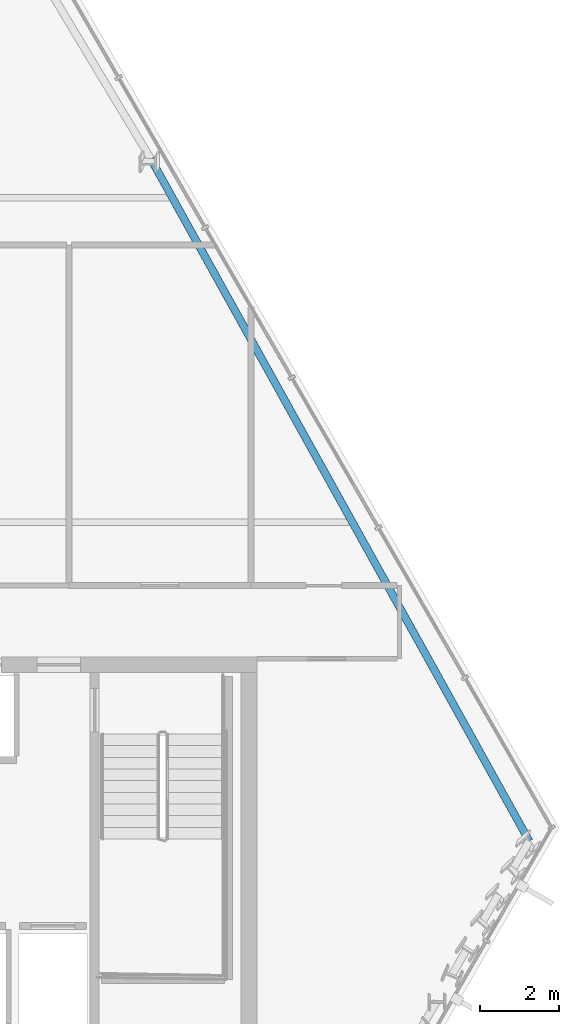
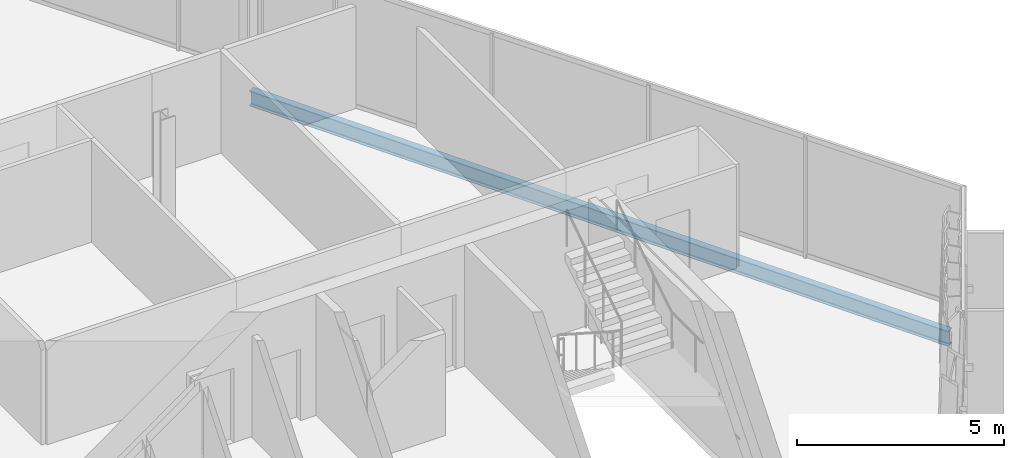
# One storey, part 16 of 29: 1 beam.
"""IFC4 building model written with IfcOpenShell, lengths in metres."""

from ifc_helpers import new_model, si_unit, direction, frame, origin, origin_2d, place, context, subcontext, project, spatial, i_section, extrude, material, material_profile, profile_set, type_object, element, save


model = new_model("IFC4")

# Units and contexts
model_context = context("Model", 3, precision=1e-05, world=origin(), true_north=direction((0.0, 1.0)))
body_context = subcontext(model_context, "Body", "Model", "MODEL_VIEW")
ifc_project = project(units=[si_unit("LENGTHUNIT", "METRE"), si_unit("AREAUNIT", "SQUARE_METRE"), si_unit("VOLUMEUNIT", "CUBIC_METRE"), si_unit("PLANEANGLEUNIT", "RADIAN"), si_unit("MASSUNIT", "GRAM", prefix="KILO")], contexts=[model_context])

# Site, building, storey
site_placement = place(None, origin())
site = spatial("IfcSite", under=ifc_project, at=site_placement, CompositionType="ELEMENT")
building_placement = place(site_placement, origin())
building = spatial("IfcBuilding", under=site, at=building_placement, Name="Ndaravel Arena Tower", CompositionType="ELEMENT")
storey_placement = place(building_placement, frame((0.0, 0.0, 248.39990234375)))
storey = spatial("IfcBuildingStorey", under=building, at=storey_placement, Name="L60", CompositionType="ELEMENT", Elevation=248.39990234375)

# Beam
ifc_material = material(Name="Steel S355", Category="steel")
ifc_material_profile = material_profile(ifc_material, i_section(OverallWidth=0.18994140625, OverallDepth=0.449951171875, WebThickness=0.009521484375, FlangeThickness=0.0146484375, FilletRadius=0.02099609375, at=origin_2d()), Name="IPE 450")
ifc_profile_set = profile_set([ifc_material_profile], Name="Steel S355")
beam_type = type_object("IfcBeamType", Name="BM-SPAN-IPE450", PredefinedType="SPANDREL", material=ifc_profile_set)
beam_placement = place(storey_placement, frame((64.43115234375, 10.54443359375, -0.44482421875), z_axis=(-0.485083189334, 0.874468009378, 0.0), x_axis=(-0.874468009378, -0.485083189334, 0.0)))
element("IfcBeam", 1, at=beam_placement, inside=storey, type_object=beam_type, Name="L60 Perimeter Spandrel Beam SP-09", PredefinedType="SPANDREL", context=body_context, shape_type="SweptSolid", body=[
    extrude(i_section(OverallWidth=0.18994140625, OverallDepth=0.449951171875, WebThickness=0.009521484375, FlangeThickness=0.0146484375, FilletRadius=0.02099609375, at=origin_2d()), origin(), (0.0, 0.0, 1.0), 19.705078125),
])

save(model, "model.ifc")
